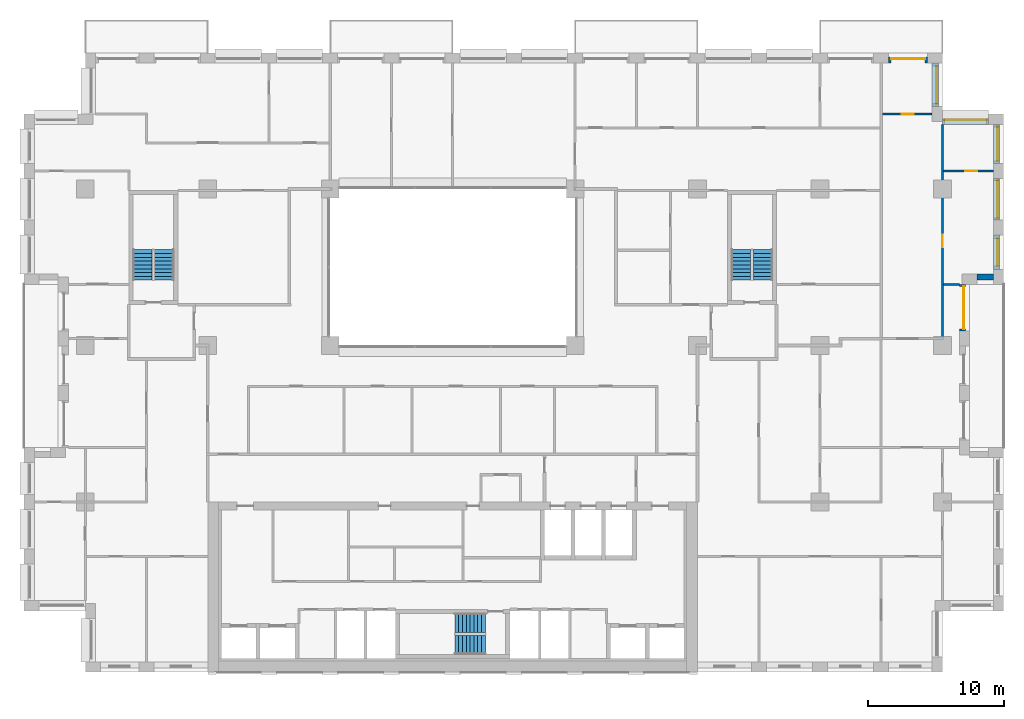
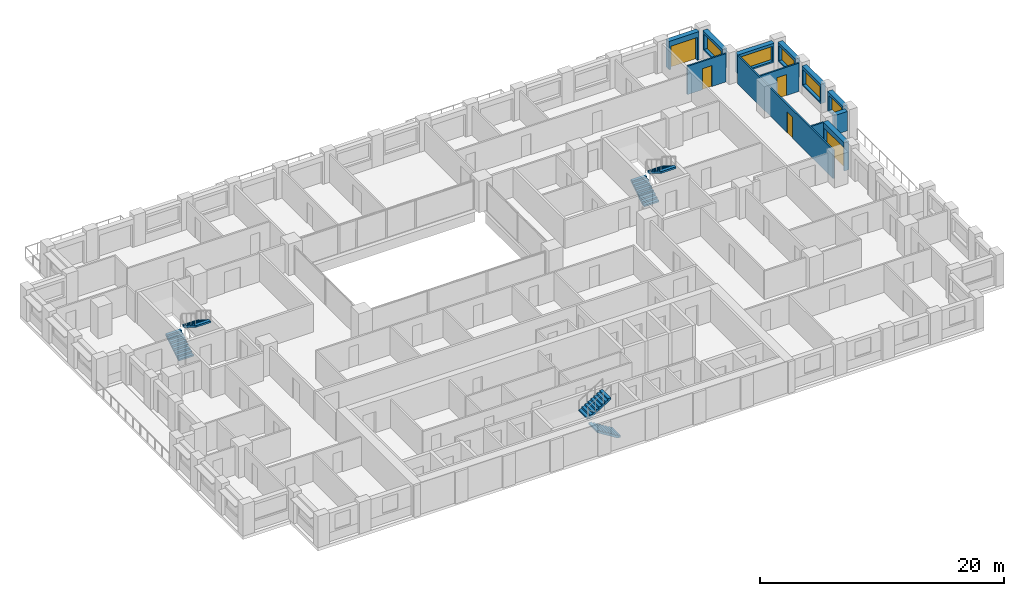
# One storey, part 15 of 16: 12 walls, 6 stair flights, 5 doors, 5 windows, 10 openings, 3 elements without a shape of their own.
"""IFC4 building model written with IfcOpenShell, lengths in metres."""

from ifc_helpers import new_model, si_unit, direction, frame, frame_2d, origin, place, context, subcontext, project, spatial, polyline, rectangle, outline, extrude, material, layer, layer_set, type_object, element, fill, aggregate, save


model = new_model("IFC4")

# Units and contexts
model_context = context("Model", 3, precision=1e-05, world=origin(), true_north=direction((0.0, 1.0)))
body_context = subcontext(model_context, "Body", "Model", "MODEL_VIEW")
ifc_project = project(units=[si_unit("LENGTHUNIT", "METRE"), si_unit("AREAUNIT", "SQUARE_METRE"), si_unit("VOLUMEUNIT", "CUBIC_METRE"), si_unit("PLANEANGLEUNIT", "RADIAN"), si_unit("MASSUNIT", "GRAM", prefix="KILO")], contexts=[model_context])

# Site, building, storey
site_placement = place(None, origin())
site = spatial("IfcSite", under=ifc_project, at=site_placement, CompositionType="ELEMENT")
building_placement = place(site_placement, origin())
building = spatial("IfcBuilding", under=site, at=building_placement, Name="Brigalow Station Residences", CompositionType="ELEMENT")
storey_placement = place(building_placement, frame((0.0, 0.0, 118.199951171875)))
storey = spatial("IfcBuildingStorey", under=building, at=storey_placement, Name="L34", CompositionType="ELEMENT", Elevation=118.199951171875)

# Wall, opening, door
ifc_material_1 = material(Name="Clay brick masonry", Category="masonry")
ifc_layer_1 = layer(ifc_material_1, 0.449951171875)
ifc_layer_set_1 = layer_set([ifc_layer_1], Name="BRICK INFILL WALL 450")
wall_type_1 = type_object("IfcWallType", Name="BRICK INFILL WALL 450", PredefinedType="SOLIDWALL", material=ifc_layer_set_1)
wall_1_placement = place(storey_placement, frame((73.47509765625, 25.050048828125, 0.0), z_axis=(0.0, 0.0, 1.0), x_axis=(0.0, 1.0, 0.0)))
wall_1 = element("IfcWall", 1, at=wall_1_placement, inside=storey, type_object=wall_type_1, Name="L34/ewall/W-L34-16", PredefinedType="SOLIDWALL", context=body_context, shape_type="SweptSolid", body=[
    extrude(rectangle(XDim=3.449951171875, YDim=0.449951171875, at=frame_2d((1.72509765625, 0.0))), origin(), (0.0, 0.0, 1.0), 2.830078125),
])
opening_1_placement = place(wall_1_placement, frame((0.14990234375, 0.0, 0.0)))
opening_1 = element("IfcOpeningElement", 2, at=opening_1_placement, cuts=wall_1, Name="Opening D-B3150", PredefinedType="OPENING", context=body_context, shape_type="SweptSolid", body=[
    extrude(rectangle(XDim=3.14990234375, YDim=2.300048828125, at=frame_2d((1.574951171875, 1.14990234375))), frame((0.0, 0.23486328125, 0.0), z_axis=(0.0, -1.0, 0.0), x_axis=(1.0, 0.0, 0.0)), (0.0, 0.0, 1.0), 0.469970703125),
])
ifc_material_2 = material(Name="Anodised aluminium frame with double glazing", Category="aluminium")
door_type_1 = type_object("IfcDoorType", Name="BALCONY SLIDING DOOR 3150x2300", OperationType="SLIDING_TO_LEFT", PredefinedType="DOOR", material=ifc_material_2)
door_1_placement = place(opening_1_placement, origin())
door_1 = element("IfcDoor", 3, at=door_1_placement, inside=storey, type_object=door_type_1, Name="L34/balcony-door/W-L34-16", OperationType="SLIDING_TO_LEFT", OverallHeight=2.300048828125, OverallWidth=3.14990234375, PredefinedType="DOOR", context=body_context, shape_type="SweptSolid", body=[
    extrude(rectangle(XDim=3.14990234375, YDim=2.300048828125, at=frame_2d((1.574951171875, 1.14990234375))), frame((0.0, -0.06982421875, 0.0), z_axis=(0.0, -1.0, 0.0), x_axis=(1.0, 0.0, 0.0)), (0.0, 0.0, 1.0), 0.050048828125),
])
fill(opening_1, door_1)

# Wall
wall_2_placement = place(storey_placement, frame((74.550048828125, 29.02490234375, 0.900146484375), z_axis=(0.0, 0.0, 1.0), x_axis=(1.0, 0.0, 0.0)))
element("IfcWall", 4, at=wall_2_placement, inside=storey, type_object=wall_type_1, Name="L34/ewall/W-L34-17", PredefinedType="SOLIDWALL", context=body_context, shape_type="SweptSolid", body=[
    extrude(rectangle(XDim=1.199951171875, YDim=0.449951171875, at=frame_2d((0.60009765625, 0.0))), origin(), (0.0, 0.0, 1.0), 1.929931640625),
])

# Wall, opening, window
wall_3_placement = place(storey_placement, frame((75.97509765625, 29.60009765625, 0.900146484375), z_axis=(0.0, 0.0, 1.0), x_axis=(0.0, 1.0, 0.0)))
wall_3 = element("IfcWall", 5, at=wall_3_placement, inside=storey, type_object=wall_type_1, Name="L34/ewall/W-L34-18", PredefinedType="SOLIDWALL", context=body_context, shape_type="SweptSolid", body=[
    extrude(rectangle(XDim=2.516845703125, YDim=0.449951171875, at=frame_2d((1.25830078125, 0.0))), origin(), (0.0, 0.0, 1.0), 1.929931640625),
])
opening_2_placement = place(wall_3_placement, frame((0.258544921875, 0.0, 0.14990234375)))
opening_2 = element("IfcOpeningElement", 6, at=opening_2_placement, cuts=wall_3, Name="Opening WT-7", PredefinedType="OPENING", context=body_context, shape_type="SweptSolid", body=[
    extrude(rectangle(XDim=2.0, YDim=1.5, at=frame_2d((1.0, 0.75))), frame((0.0, 0.23486328125, 0.0), z_axis=(0.0, -1.0, 0.0), x_axis=(1.0, 0.0, 0.0)), (0.0, 0.0, 1.0), 0.469970703125),
])
ifc_material_3 = material(Name="Anodised aluminium frame with double glazing", Category="aluminium")
window_type_1 = type_object("IfcWindowType", Name="WINDOW 2000x1500", PartitioningType="SINGLE_PANEL", PredefinedType="WINDOW", material=ifc_material_3)
window_1_placement = place(opening_2_placement, origin())
window_1 = element("IfcWindow", 7, at=window_1_placement, inside=storey, type_object=window_type_1, Name="L34/window/W-L34-18", OverallHeight=1.5, OverallWidth=2.0, PartitioningType="SINGLE_PANEL", PredefinedType="WINDOW", context=body_context, shape_type="SweptSolid", body=[
    extrude(rectangle(XDim=2.0, YDim=1.5, at=frame_2d((1.0, 0.75))), frame((0.0, -0.06494140625, 0.0), z_axis=(0.0, -1.0, 0.0), x_axis=(1.0, 0.0, 0.0)), (0.0, 0.0, 1.0), 0.06005859375),
])
fill(opening_2, window_1)

wall_4_placement = place(storey_placement, frame((75.97509765625, 33.217041015625, 0.900146484375), z_axis=(0.0, 0.0, 1.0), x_axis=(0.0, 1.0, 0.0)))
wall_4 = element("IfcWall", 8, at=wall_4_placement, inside=storey, type_object=wall_type_1, Name="L34/ewall/W-L34-19", PredefinedType="SOLIDWALL", context=body_context, shape_type="SweptSolid", body=[
    extrude(rectangle(XDim=3.06591796875, YDim=0.449951171875, at=frame_2d((1.532958984375, 0.0))), origin(), (0.0, 0.0, 1.0), 1.929931640625),
])
opening_3_placement = place(wall_4_placement, frame((0.157958984375, 0.0, 0.14990234375)))
opening_3 = element("IfcOpeningElement", 9, at=opening_3_placement, cuts=wall_4, Name="Opening WT-3", PredefinedType="OPENING", context=body_context, shape_type="SweptSolid", body=[
    extrude(rectangle(XDim=2.75, YDim=1.5, at=frame_2d((1.375, 0.75))), frame((0.0, 0.23486328125, 0.0), z_axis=(0.0, -1.0, 0.0), x_axis=(1.0, 0.0, 0.0)), (0.0, 0.0, 1.0), 0.469970703125),
])
ifc_material_4 = material(Name="Anodised aluminium frame with double glazing", Category="aluminium")
window_type_2 = type_object("IfcWindowType", Name="WINDOW 2750x1500", PartitioningType="SINGLE_PANEL", PredefinedType="WINDOW", material=ifc_material_4)
window_2_placement = place(opening_3_placement, origin())
window_2 = element("IfcWindow", 10, at=window_2_placement, inside=storey, type_object=window_type_2, Name="L34/window/W-L34-19", OverallHeight=1.5, OverallWidth=2.75, PartitioningType="SINGLE_PANEL", PredefinedType="WINDOW", context=body_context, shape_type="SweptSolid", body=[
    extrude(rectangle(XDim=2.75, YDim=1.5, at=frame_2d((1.375, 0.75))), frame((0.0, -0.06494140625, 0.0), z_axis=(0.0, -1.0, 0.0), x_axis=(1.0, 0.0, 0.0)), (0.0, 0.0, 1.0), 0.06005859375),
])
fill(opening_3, window_2)

wall_5_placement = place(storey_placement, frame((75.97509765625, 37.383056640625, 0.900146484375), z_axis=(0.0, 0.0, 1.0), x_axis=(0.0, 1.0, 0.0)))
wall_5 = element("IfcWall", 11, at=wall_5_placement, inside=storey, type_object=wall_type_1, Name="L34/ewall/W-L34-20", PredefinedType="SOLIDWALL", context=body_context, shape_type="SweptSolid", body=[
    extrude(rectangle(XDim=2.866943359375, YDim=0.449951171875, at=frame_2d((1.43359375, 0.0))), origin(), (0.0, 0.0, 1.0), 1.929931640625),
])
opening_4_placement = place(wall_5_placement, frame((0.18359375, 0.0, 0.14990234375)))
opening_4 = element("IfcOpeningElement", 12, at=opening_4_placement, cuts=wall_5, Name="Opening WT-5", PredefinedType="OPENING", context=body_context, shape_type="SweptSolid", body=[
    extrude(rectangle(XDim=2.5, YDim=1.5, at=frame_2d((1.25, 0.75))), frame((0.0, 0.23486328125, 0.0), z_axis=(0.0, -1.0, 0.0), x_axis=(1.0, 0.0, 0.0)), (0.0, 0.0, 1.0), 0.469970703125),
])
ifc_material_5 = material(Name="Anodised aluminium frame with double glazing", Category="aluminium")
window_type_3 = type_object("IfcWindowType", Name="WINDOW 2500x1500", PartitioningType="SINGLE_PANEL", PredefinedType="WINDOW", material=ifc_material_5)
window_3_placement = place(opening_4_placement, origin())
window_3 = element("IfcWindow", 13, at=window_3_placement, inside=storey, type_object=window_type_3, Name="L34/window/W-L34-20", OverallHeight=1.5, OverallWidth=2.5, PartitioningType="SINGLE_PANEL", PredefinedType="WINDOW", context=body_context, shape_type="SweptSolid", body=[
    extrude(rectangle(XDim=2.5, YDim=1.5, at=frame_2d((1.25, 0.75))), frame((0.0, -0.06494140625, 0.0), z_axis=(0.0, -1.0, 0.0), x_axis=(1.0, 0.0, 0.0)), (0.0, 0.0, 1.0), 0.06005859375),
])
fill(opening_4, window_3)

wall_6_placement = place(storey_placement, frame((75.39990234375, 40.47509765625, 0.900146484375), z_axis=(0.0, 0.0, 1.0), x_axis=(-1.0, 0.0, 0.0)))
wall_6 = element("IfcWall", 14, at=wall_6_placement, inside=storey, type_object=wall_type_1, Name="L34/ewall/W-L34-21", PredefinedType="SOLIDWALL", context=body_context, shape_type="SweptSolid", body=[
    extrude(rectangle(XDim=3.39990234375, YDim=0.449951171875, at=frame_2d((1.699951171875, 0.0))), origin(), (0.0, 0.0, 1.0), 1.929931640625),
])
opening_5_placement = place(wall_6_placement, frame((0.14990234375, 0.0, 0.14990234375)))
opening_5 = element("IfcOpeningElement", 15, at=opening_5_placement, cuts=wall_6, Name="Opening WT-8", PredefinedType="OPENING", context=body_context, shape_type="SweptSolid", body=[
    extrude(rectangle(XDim=3.10009765625, YDim=1.5, at=frame_2d((1.550048828125, 0.75))), frame((0.0, 0.23486328125, 0.0), z_axis=(0.0, -1.0, 0.0), x_axis=(1.0, 0.0, 0.0)), (0.0, 0.0, 1.0), 0.469970703125),
])
ifc_material_6 = material(Name="Anodised aluminium frame with double glazing", Category="aluminium")
window_type_4 = type_object("IfcWindowType", Name="WINDOW 3100x1500", PartitioningType="SINGLE_PANEL", PredefinedType="WINDOW", material=ifc_material_6)
window_4_placement = place(opening_5_placement, origin())
window_4 = element("IfcWindow", 16, at=window_4_placement, inside=storey, type_object=window_type_4, Name="L34/window/W-L34-21", OverallHeight=1.5, OverallWidth=3.10009765625, PartitioningType="SINGLE_PANEL", PredefinedType="WINDOW", context=body_context, shape_type="SweptSolid", body=[
    extrude(rectangle(XDim=3.10009765625, YDim=1.5, at=frame_2d((1.550048828125, 0.75))), frame((0.0, -0.06494140625, 0.0), z_axis=(0.0, -1.0, 0.0), x_axis=(1.0, 0.0, 0.0)), (0.0, 0.0, 1.0), 0.06005859375),
])
fill(opening_5, window_4)

wall_7_placement = place(storey_placement, frame((71.47509765625, 41.550048828125, 0.900146484375), z_axis=(0.0, 0.0, 1.0), x_axis=(0.0, 1.0, 0.0)))
wall_7 = element("IfcWall", 17, at=wall_7_placement, inside=storey, type_object=wall_type_1, Name="L34/ewall/W-L34-22", PredefinedType="SOLIDWALL", context=body_context, shape_type="SweptSolid", body=[
    extrude(rectangle(XDim=3.199951171875, YDim=0.449951171875, at=frame_2d((1.60009765625, 0.0))), origin(), (0.0, 0.0, 1.0), 1.929931640625),
])
opening_6_placement = place(wall_7_placement, frame((0.22509765625, 0.0, 0.14990234375)))
opening_6 = element("IfcOpeningElement", 18, at=opening_6_placement, cuts=wall_7, Name="Opening WT-3", PredefinedType="OPENING", context=body_context, shape_type="SweptSolid", body=[
    extrude(rectangle(XDim=2.75, YDim=1.5, at=frame_2d((1.375, 0.75))), frame((0.0, 0.23486328125, 0.0), z_axis=(0.0, -1.0, 0.0), x_axis=(1.0, 0.0, 0.0)), (0.0, 0.0, 1.0), 0.469970703125),
])
window_5_placement = place(opening_6_placement, origin())
window_5 = element("IfcWindow", 19, at=window_5_placement, inside=storey, type_object=window_type_2, Name="L34/window/W-L34-22", OverallHeight=1.5, OverallWidth=2.75, PartitioningType="SINGLE_PANEL", PredefinedType="WINDOW", context=body_context, shape_type="SweptSolid", body=[
    extrude(rectangle(XDim=2.75, YDim=1.5, at=frame_2d((1.375, 0.75))), frame((0.0, -0.06494140625, 0.0), z_axis=(0.0, -1.0, 0.0), x_axis=(1.0, 0.0, 0.0)), (0.0, 0.0, 1.0), 0.06005859375),
])
fill(opening_6, window_5)

# Wall, opening, door
wall_8_placement = place(storey_placement, frame((70.89990234375, 44.97509765625, 0.0), z_axis=(0.0, 0.0, 1.0), x_axis=(-1.0, 0.0, 0.0)))
wall_8 = element("IfcWall", 20, at=wall_8_placement, inside=storey, type_object=wall_type_1, Name="L34/ewall/W-L34-23", PredefinedType="SOLIDWALL", context=body_context, shape_type="SweptSolid", body=[
    extrude(rectangle(XDim=2.849853515625, YDim=0.449951171875, at=frame_2d((1.4248046875, 0.0))), origin(), (0.0, 0.0, 1.0), 2.830078125),
])
opening_7_placement = place(wall_8_placement, frame((0.175048828125, 0.0, 0.0)))
opening_7 = element("IfcOpeningElement", 21, at=opening_7_placement, cuts=wall_8, Name="Opening D-B2500", PredefinedType="OPENING", context=body_context, shape_type="SweptSolid", body=[
    extrude(rectangle(XDim=2.5, YDim=2.300048828125, at=frame_2d((1.25, 1.14990234375))), frame((0.0, 0.23486328125, 0.0), z_axis=(0.0, -1.0, 0.0), x_axis=(1.0, 0.0, 0.0)), (0.0, 0.0, 1.0), 0.469970703125),
])
ifc_material_7 = material(Name="Anodised aluminium frame with double glazing", Category="aluminium")
door_type_2 = type_object("IfcDoorType", Name="BALCONY SLIDING DOOR 2500x2300", OperationType="SLIDING_TO_LEFT", PredefinedType="DOOR", material=ifc_material_7)
door_2_placement = place(opening_7_placement, origin())
door_2 = element("IfcDoor", 22, at=door_2_placement, inside=storey, type_object=door_type_2, Name="L34/balcony-door/W-L34-23", OperationType="SLIDING_TO_LEFT", OverallHeight=2.300048828125, OverallWidth=2.5, PredefinedType="DOOR", context=body_context, shape_type="SweptSolid", body=[
    extrude(rectangle(XDim=2.5, YDim=2.300048828125, at=frame_2d((1.25, 1.14990234375))), frame((0.0, -0.06982421875, 0.0), z_axis=(0.0, -1.0, 0.0), x_axis=(1.0, 0.0, 0.0)), (0.0, 0.0, 1.0), 0.050048828125),
])
fill(opening_7, door_2)

# Wall
ifc_material_8 = material(Name="Plasterboard on steel stud partition", Category="steel")
ifc_layer_2 = layer(ifc_material_8, 0.14990234375)
ifc_layer_set_2 = layer_set([ifc_layer_2], Name="FLAT PARTITION 150")
wall_type_2 = type_object("IfcWallType", Name="FLAT PARTITION 150", PredefinedType="PARTITIONING", material=ifc_layer_set_2)
wall_9_placement = place(storey_placement, frame((72.074951171875, 28.5, 0.0), z_axis=(0.0, 0.0, 1.0), x_axis=(1.0, 0.0, 0.0)))
element("IfcWall", 23, at=wall_9_placement, inside=storey, type_object=wall_type_2, Name="PW-2E23", PredefinedType="PARTITIONING", context=body_context, shape_type="SweptSolid", body=[
    extrude(rectangle(XDim=1.175048828125, YDim=0.14990234375, at=frame_2d((0.58740234375, 0.0))), origin(), (0.0, 0.0, 1.0), 2.830078125),
])

# Wall, opening, door
wall_10_placement = place(storey_placement, frame((72.074951171875, 36.8330078125, 0.0), z_axis=(0.0, 0.0, 1.0), x_axis=(1.0, 0.0, 0.0)))
wall_10 = element("IfcWall", 24, at=wall_10_placement, inside=storey, type_object=wall_type_2, Name="PW-2E25", PredefinedType="PARTITIONING", context=body_context, shape_type="SweptSolid", body=[
    extrude(rectangle(XDim=3.675048828125, YDim=0.14990234375, at=frame_2d((1.83740234375, 0.0))), origin(), (0.0, 0.0, 1.0), 2.830078125),
])
opening_8_placement = place(wall_10_placement, frame((1.60009765625, 0.0, 0.0)))
opening_8 = element("IfcOpeningElement", 25, at=opening_8_placement, cuts=wall_10, Name="Opening D-2E43", PredefinedType="OPENING", context=body_context, shape_type="SweptSolid", body=[
    extrude(rectangle(XDim=0.89990234375, YDim=2.10009765625, at=frame_2d((0.449951171875, 1.050048828125))), frame((0.0, 0.0849609375, 0.0), z_axis=(0.0, -1.0, 0.0), x_axis=(1.0, 0.0, 0.0)), (0.0, 0.0, 1.0), 0.169921875),
])
ifc_material_9 = material(Name="Solid-core timber door leaf", Category="wood")
door_type_3 = type_object("IfcDoorType", Name="INTERNAL DOOR 900 x 2100", OperationType="SINGLE_SWING_LEFT", PredefinedType="DOOR", material=ifc_material_9)
door_3_placement = place(opening_8_placement, origin())
door_3 = element("IfcDoor", 26, at=door_3_placement, inside=storey, type_object=door_type_3, Name="D-2E43", OperationType="SINGLE_SWING_RIGHT", OverallHeight=2.10009765625, OverallWidth=0.89990234375, PredefinedType="DOOR", context=body_context, shape_type="SweptSolid", body=[
    extrude(rectangle(XDim=0.89990234375, YDim=2.10009765625, at=frame_2d((0.449951171875, 1.050048828125))), frame((0.0, 0.02490234375, 0.0), z_axis=(0.0, -1.0, 0.0), x_axis=(1.0, 0.0, 0.0)), (0.0, 0.0, 1.0), 0.050048828125),
])
fill(opening_8, door_3)

wall_11_placement = place(storey_placement, frame((67.60009765625, 41.0, 0.0), z_axis=(0.0, 0.0, 1.0), x_axis=(1.0, 0.0, 0.0)))
wall_11 = element("IfcWall", 27, at=wall_11_placement, inside=storey, type_object=wall_type_2, Name="PW-2E31", PredefinedType="PARTITIONING", context=body_context, shape_type="SweptSolid", body=[
    extrude(rectangle(XDim=3.64990234375, YDim=0.14990234375, at=frame_2d((1.824951171875, 0.0))), origin(), (0.0, 0.0, 1.0), 2.830078125),
])
opening_9_placement = place(wall_11_placement, frame((1.39990234375, 0.0, 0.0)))
opening_9 = element("IfcOpeningElement", 28, at=opening_9_placement, cuts=wall_11, Name="Opening D-2E44", PredefinedType="OPENING", context=body_context, shape_type="SweptSolid", body=[
    extrude(rectangle(XDim=0.89990234375, YDim=2.10009765625, at=frame_2d((0.449951171875, 1.050048828125))), frame((0.0, 0.0849609375, 0.0), z_axis=(0.0, -1.0, 0.0), x_axis=(1.0, 0.0, 0.0)), (0.0, 0.0, 1.0), 0.169921875),
])
door_4_placement = place(opening_9_placement, origin())
door_4 = element("IfcDoor", 29, at=door_4_placement, inside=storey, type_object=door_type_3, Name="D-2E44", OperationType="SINGLE_SWING_RIGHT", OverallHeight=2.10009765625, OverallWidth=0.89990234375, PredefinedType="DOOR", context=body_context, shape_type="SweptSolid", body=[
    extrude(rectangle(XDim=0.89990234375, YDim=2.10009765625, at=frame_2d((0.449951171875, 1.050048828125))), frame((0.0, 0.02490234375, 0.0), z_axis=(0.0, -1.0, 0.0), x_axis=(1.0, 0.0, 0.0)), (0.0, 0.0, 1.0), 0.050048828125),
])
fill(opening_9, door_4)

wall_12_placement = place(storey_placement, frame((72.0, 24.574951171875, 0.0), z_axis=(0.0, 0.0, 1.0), x_axis=(0.0, 1.0, 0.0)))
wall_12 = element("IfcWall", 30, at=wall_12_placement, inside=storey, type_object=wall_type_2, Name="PW-2E65", PredefinedType="PARTITIONING", context=body_context, shape_type="SweptSolid", body=[
    extrude(rectangle(XDim=15.675048828125, YDim=0.14990234375, at=frame_2d((7.83740234375, 0.0))), origin(), (0.0, 0.0, 1.0), 2.830078125),
])
opening_10_placement = place(wall_12_placement, frame((6.64990234375, 0.0, 0.0)))
opening_10 = element("IfcOpeningElement", 31, at=opening_10_placement, cuts=wall_12, Name="Opening D-2E42", PredefinedType="OPENING", context=body_context, shape_type="SweptSolid", body=[
    extrude(rectangle(XDim=0.89990234375, YDim=2.10009765625, at=frame_2d((0.449951171875, 1.050048828125))), frame((0.0, 0.0849609375, 0.0), z_axis=(0.0, -1.0, 0.0), x_axis=(1.0, 0.0, 0.0)), (0.0, 0.0, 1.0), 0.169921875),
])
door_5_placement = place(opening_10_placement, frame((0.89990234375, 0.0, 0.0), z_axis=(0.0, 0.0, 1.0), x_axis=(-1.0, 0.0, 0.0)))
door_5 = element("IfcDoor", 32, at=door_5_placement, inside=storey, type_object=door_type_3, Name="D-2E42", OperationType="SINGLE_SWING_RIGHT", OverallHeight=2.10009765625, OverallWidth=0.89990234375, PredefinedType="DOOR", context=body_context, shape_type="SweptSolid", body=[
    extrude(rectangle(XDim=0.89990234375, YDim=2.10009765625, at=frame_2d((0.449951171875, 1.050048828125))), frame((0.0, 0.02490234375, 0.0), z_axis=(0.0, -1.0, 0.0), x_axis=(1.0, 0.0, 0.0)), (0.0, 0.0, 1.0), 0.050048828125),
])
fill(opening_10, door_5)

# Stair, stair flights
ifc_material_10 = material(Name="Concrete C50", Category="concrete")
stair_type = type_object("IfcStairType", Name="EXIT STAIR 1400 2 FLIGHT", PredefinedType="HALF_TURN_STAIR", material=ifc_material_10)
stair_1_placement = place(storey_placement, origin())
stair_1 = element("IfcStair", 33, at=stair_1_placement, inside=storey, type_object=stair_type, Name="EXIT STAIR S2 L34", PredefinedType="HALF_TURN_STAIR")
ifc_material_11 = material(Name="Concrete C50", Category="concrete")
stair_flight_type = type_object("IfcStairFlightType", Name="STAIR FLIGHT 1400", PredefinedType="STRAIGHT", material=ifc_material_11)
stair_flight_1_placement = place(storey_placement, frame((38.39990234375, 2.0, 0.0), z_axis=(0.0, 0.0, 1.0), x_axis=(-1.0, 0.0, 0.0)))
stair_flight_1 = element("IfcStairFlight", 34, at=stair_flight_1_placement, type_object=stair_flight_type, Name="ST-2 flight 1", NumberOfRisers=9, NumberOfTreads=8, PredefinedType="STRAIGHT", RiserHeight=0.175, TreadLength=0.28, context=body_context, shape_type="SweptSolid", body=[
    extrude(outline(polyline([(0.0, 0.0), (0.0, 0.175048828125), (0.280029296875, 0.175048828125), (0.280029296875, 0.35009765625), (0.56005859375, 0.35009765625), (0.56005859375, 0.52490234375), (0.840087890625, 0.52490234375), (0.840087890625, 0.699951171875), (1.1201171875, 0.699951171875), (1.1201171875, 0.875), (1.39990234375, 0.875), (1.39990234375, 1.050048828125), (1.679931640625, 1.050048828125), (1.679931640625, 1.22509765625), (1.9599609375, 1.22509765625), (1.9599609375, 1.39990234375), (2.239990234375, 1.39990234375), (2.239990234375, 1.574951171875), (2.239990234375, 1.22314453125), (0.28271484375, 0.0), (0.0, 0.0)])), frame((0.0, 0.699951171875, 0.0), z_axis=(0.0, -1.0, 0.0), x_axis=(1.0, 0.0, 0.0)), (0.0, 0.0, 1.0), 1.39990234375),
])
stair_flight_2_placement = place(storey_placement, frame((36.159912109375, 3.60009765625, 1.574951171875), z_axis=(0.0, 0.0, 1.0), x_axis=(1.0, 0.0, 0.0)))
stair_flight_2 = element("IfcStairFlight", 35, at=stair_flight_2_placement, type_object=stair_flight_type, Name="ST-2 flight 2", NumberOfRisers=9, NumberOfTreads=8, PredefinedType="STRAIGHT", RiserHeight=0.175, TreadLength=0.28, context=body_context, shape_type="SweptSolid", body=[
    extrude(outline(polyline([(0.0, 0.0), (0.0, 0.175048828125), (0.280029296875, 0.175048828125), (0.280029296875, 0.35009765625), (0.56005859375, 0.35009765625), (0.56005859375, 0.52490234375), (0.840087890625, 0.52490234375), (0.840087890625, 0.699951171875), (1.1201171875, 0.699951171875), (1.1201171875, 0.875), (1.39990234375, 0.875), (1.39990234375, 1.050048828125), (1.679931640625, 1.050048828125), (1.679931640625, 1.22509765625), (1.9599609375, 1.22509765625), (1.9599609375, 1.39990234375), (2.239990234375, 1.39990234375), (2.239990234375, 1.574951171875), (2.239990234375, 1.22314453125), (0.28271484375, 0.0), (0.0, 0.0)])), frame((0.0, 0.699951171875, 0.0), z_axis=(0.0, -1.0, 0.0), x_axis=(1.0, 0.0, 0.0)), (0.0, 0.0, 1.0), 1.39990234375),
])
aggregate(stair_1, [stair_flight_1, stair_flight_2])

stair_2_placement = place(storey_placement, origin())
stair_2 = element("IfcStair", 36, at=stair_2_placement, inside=storey, type_object=stair_type, Name="EXIT STAIR S1 L34", PredefinedType="HALF_TURN_STAIR")
stair_flight_3_placement = place(storey_placement, frame((13.199951171875, 28.800048828125, 0.0), z_axis=(0.0, 0.0, 1.0), x_axis=(0.0, 1.0, 0.0)))
stair_flight_3 = element("IfcStairFlight", 37, at=stair_flight_3_placement, type_object=stair_flight_type, Name="ST-1 flight 1", NumberOfRisers=9, NumberOfTreads=8, PredefinedType="STRAIGHT", RiserHeight=0.175, TreadLength=0.28, context=body_context, shape_type="SweptSolid", body=[
    extrude(outline(polyline([(0.0, 0.0), (0.0, 0.175048828125), (0.280029296875, 0.175048828125), (0.280029296875, 0.35009765625), (0.56005859375, 0.35009765625), (0.56005859375, 0.52490234375), (0.840087890625, 0.52490234375), (0.840087890625, 0.699951171875), (1.1201171875, 0.699951171875), (1.1201171875, 0.875), (1.39990234375, 0.875), (1.39990234375, 1.050048828125), (1.679931640625, 1.050048828125), (1.679931640625, 1.22509765625), (1.9599609375, 1.22509765625), (1.9599609375, 1.39990234375), (2.239990234375, 1.39990234375), (2.239990234375, 1.574951171875), (2.239990234375, 1.22314453125), (0.28271484375, 0.0), (0.0, 0.0)])), frame((0.0, 0.699951171875, 0.0), z_axis=(0.0, -1.0, 0.0), x_axis=(1.0, 0.0, 0.0)), (0.0, 0.0, 1.0), 1.39990234375),
])
stair_flight_4_placement = place(storey_placement, frame((14.800048828125, 31.0400390625, 1.574951171875), z_axis=(0.0, 0.0, 1.0), x_axis=(0.0, -1.0, 0.0)))
stair_flight_4 = element("IfcStairFlight", 38, at=stair_flight_4_placement, type_object=stair_flight_type, Name="ST-1 flight 2", NumberOfRisers=9, NumberOfTreads=8, PredefinedType="STRAIGHT", RiserHeight=0.175, TreadLength=0.28, context=body_context, shape_type="SweptSolid", body=[
    extrude(outline(polyline([(0.0, 0.0), (0.0, 0.175048828125), (0.280029296875, 0.175048828125), (0.280029296875, 0.35009765625), (0.56005859375, 0.35009765625), (0.56005859375, 0.52490234375), (0.840087890625, 0.52490234375), (0.840087890625, 0.699951171875), (1.1201171875, 0.699951171875), (1.1201171875, 0.875), (1.39990234375, 0.875), (1.39990234375, 1.050048828125), (1.679931640625, 1.050048828125), (1.679931640625, 1.22509765625), (1.9599609375, 1.22509765625), (1.9599609375, 1.39990234375), (2.239990234375, 1.39990234375), (2.239990234375, 1.574951171875), (2.239990234375, 1.22314453125), (0.28271484375, 0.0), (0.0, 0.0)])), frame((0.0, 0.699951171875, 0.0), z_axis=(0.0, -1.0, 0.0), x_axis=(1.0, 0.0, 0.0)), (0.0, 0.0, 1.0), 1.39990234375),
])
aggregate(stair_2, [stair_flight_3, stair_flight_4])

stair_3_placement = place(storey_placement, origin())
stair_3 = element("IfcStair", 39, at=stair_3_placement, inside=storey, type_object=stair_type, Name="EXIT STAIR S3 L34", PredefinedType="HALF_TURN_STAIR")
stair_flight_5_placement = place(storey_placement, frame((57.199951171875, 28.800048828125, 0.0), z_axis=(0.0, 0.0, 1.0), x_axis=(0.0, 1.0, 0.0)))
stair_flight_5 = element("IfcStairFlight", 40, at=stair_flight_5_placement, type_object=stair_flight_type, Name="ST-3 flight 1", NumberOfRisers=9, NumberOfTreads=8, PredefinedType="STRAIGHT", RiserHeight=0.175, TreadLength=0.28, context=body_context, shape_type="SweptSolid", body=[
    extrude(outline(polyline([(0.0, 0.0), (0.0, 0.175048828125), (0.280029296875, 0.175048828125), (0.280029296875, 0.35009765625), (0.56005859375, 0.35009765625), (0.56005859375, 0.52490234375), (0.840087890625, 0.52490234375), (0.840087890625, 0.699951171875), (1.1201171875, 0.699951171875), (1.1201171875, 0.875), (1.39990234375, 0.875), (1.39990234375, 1.050048828125), (1.679931640625, 1.050048828125), (1.679931640625, 1.22509765625), (1.9599609375, 1.22509765625), (1.9599609375, 1.39990234375), (2.239990234375, 1.39990234375), (2.239990234375, 1.574951171875), (2.239990234375, 1.22314453125), (0.28271484375, 0.0), (0.0, 0.0)])), frame((0.0, 0.699951171875, 0.0), z_axis=(0.0, -1.0, 0.0), x_axis=(1.0, 0.0, 0.0)), (0.0, 0.0, 1.0), 1.39990234375),
])
stair_flight_6_placement = place(storey_placement, frame((58.800048828125, 31.0400390625, 1.574951171875), z_axis=(0.0, 0.0, 1.0), x_axis=(0.0, -1.0, 0.0)))
stair_flight_6 = element("IfcStairFlight", 41, at=stair_flight_6_placement, type_object=stair_flight_type, Name="ST-3 flight 2", NumberOfRisers=9, NumberOfTreads=8, PredefinedType="STRAIGHT", RiserHeight=0.175, TreadLength=0.28, context=body_context, shape_type="SweptSolid", body=[
    extrude(outline(polyline([(0.0, 0.0), (0.0, 0.175048828125), (0.280029296875, 0.175048828125), (0.280029296875, 0.35009765625), (0.56005859375, 0.35009765625), (0.56005859375, 0.52490234375), (0.840087890625, 0.52490234375), (0.840087890625, 0.699951171875), (1.1201171875, 0.699951171875), (1.1201171875, 0.875), (1.39990234375, 0.875), (1.39990234375, 1.050048828125), (1.679931640625, 1.050048828125), (1.679931640625, 1.22509765625), (1.9599609375, 1.22509765625), (1.9599609375, 1.39990234375), (2.239990234375, 1.39990234375), (2.239990234375, 1.574951171875), (2.239990234375, 1.22314453125), (0.28271484375, 0.0), (0.0, 0.0)])), frame((0.0, 0.699951171875, 0.0), z_axis=(0.0, -1.0, 0.0), x_axis=(1.0, 0.0, 0.0)), (0.0, 0.0, 1.0), 1.39990234375),
])
aggregate(stair_3, [stair_flight_5, stair_flight_6])

save(model, "model.ifc")
